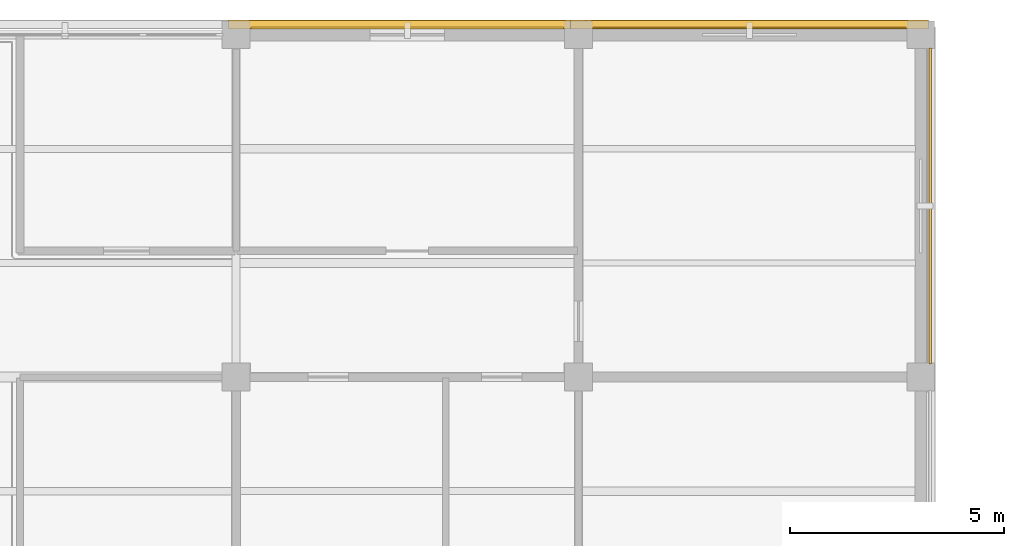
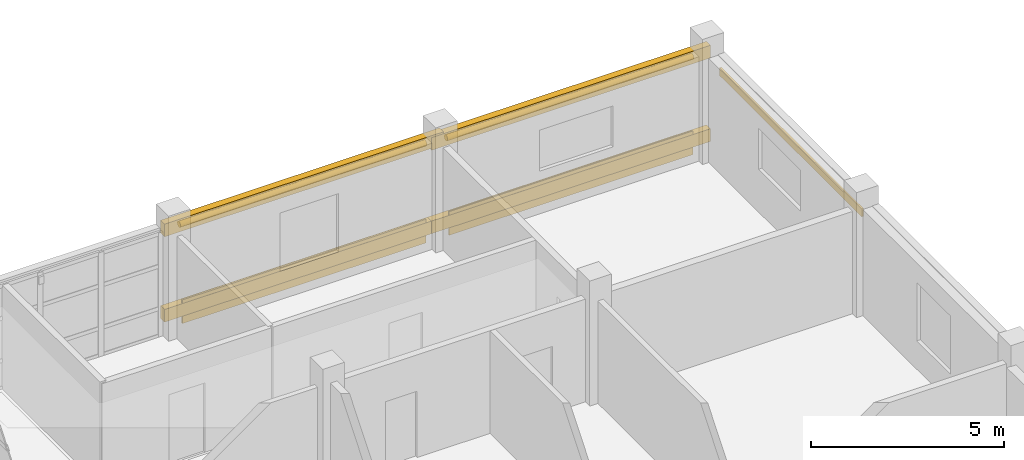
# One storey, part 106 of 107: 6 coverings, 3 shading devices.
"""IFC4 building model written with IfcOpenShell, lengths in metres."""

import ifcopenshell
import ifcopenshell.guid

model = None  # the IFC model being written
_history = None  # IfcOwnerHistory: only IFC2X3 demands one
_inside = {}  # id of a spatial element -> (the spatial element, [elements in it])
_under = {}  # id of a project, library or spatial element -> (it, [spatial elements below it])
_declared = {}  # id of a project -> (the project, [libraries it declares])
_typed = {}  # id of a type object -> (the type object, [elements of that type])
_made_of = {}  # id of a material, layer set ... -> (it, [elements and type objects made of it])


def new_model(schema):
    """Start an empty IFC model of exactly this schema.

    Asked for "IFC4X3", IfcOpenShell would pick the latest addendum, in which some entities
    have other attributes; the version numbers below select the first issue.
    IFC2X3 requires an IfcOwnerHistory on every rooted entity: one is made here for all.
    """
    global model, _history
    if schema == "IFC4X3":
        model = ifcopenshell.file(schema_version=(4, 3, 0, 0))
    else:
        model = ifcopenshell.file(schema=schema)
    _inside.clear()
    _under.clear()
    _declared.clear()
    _typed.clear()
    _made_of.clear()
    _history = None
    if model.schema == "IFC2X3":
        org = make("IfcOrganization", Name="unknown")
        user = make(
            "IfcPersonAndOrganization",
            ThePerson=make("IfcPerson", FamilyName="unknown"),
            TheOrganization=org,
        )
        app = make(
            "IfcApplication",
            ApplicationDeveloper=org,
            Version="unknown",
            ApplicationFullName="unknown",
            ApplicationIdentifier="unknown",
        )
        _history = make(
            "IfcOwnerHistory",
            OwningUser=user,
            OwningApplication=app,
            ChangeAction="ADDED",
            CreationDate=0,
        )
    return model


def make(cls, **values):
    """One entity of the class cls with the attributes given. An attribute that is None is left unset."""
    return model.create_entity(
        cls, **{name: value for name, value in values.items() if value is not None}
    )


def rooted(cls, **values):
    """An entity with a GlobalId (a new one), such as an element, a storey or a relation."""
    return make(cls, GlobalId=ifcopenshell.guid.new(), OwnerHistory=_history, **values)


def si_unit(unit_type, name, prefix=None):
    """IfcSIUnit, for example si_unit("LENGTHUNIT", "METRE", prefix="MILLI")."""
    return make("IfcSIUnit", UnitType=unit_type, Prefix=prefix, Name=name)


def derived_unit(unit_type, elements):
    """IfcDerivedUnit: a product of units, each with its exponent."""
    return make(
        "IfcDerivedUnit",
        Elements=[
            make("IfcDerivedUnitElement", Unit=unit, Exponent=power)
            for unit, power in elements
        ],
        UnitType=unit_type,
    )


def assignment(units):
    """IfcUnitAssignment: the units of a project."""
    return None if units is None else make("IfcUnitAssignment", Units=units)


def point(xyz):
    """IfcCartesianPoint."""
    return None if xyz is None else make("IfcCartesianPoint", Coordinates=xyz)


def direction(xyz):
    """IfcDirection."""
    return None if xyz is None else make("IfcDirection", DirectionRatios=xyz)


def frame(location, z_axis=None, x_axis=None):
    """IfcAxis2Placement3D, a coordinate frame: its origin and axes. An axis left out is left unset."""
    return make(
        "IfcAxis2Placement3D",
        Location=point(location),
        Axis=direction(z_axis),
        RefDirection=direction(x_axis),
    )


def frame_2d(location, x_axis=None):
    """IfcAxis2Placement2D, a coordinate frame in the plane: its origin and x axis."""
    return make(
        "IfcAxis2Placement2D", Location=point(location), RefDirection=direction(x_axis)
    )


def origin():
    """The frame at (0, 0, 0) with its axes left unset."""
    return frame((0.0, 0.0, 0.0))


def origin_2d():
    """The frame at (0, 0) in the plane with its x axis left unset."""
    return frame_2d((0.0, 0.0))


def place(relative_to, where):
    """IfcLocalPlacement: puts the frame where relative to a parent placement (None: the world)."""
    return make(
        "IfcLocalPlacement", PlacementRelTo=relative_to, RelativePlacement=where
    )


def context(
    kind, dimensions, precision=None, world=None, true_north=None, identifier=None
):
    """IfcGeometricRepresentationContext, for example the 3D "Model" context."""
    return make(
        "IfcGeometricRepresentationContext",
        ContextIdentifier=identifier,
        ContextType=kind,
        CoordinateSpaceDimension=dimensions,
        Precision=precision,
        WorldCoordinateSystem=world,
        TrueNorth=true_north,
    )


def subcontext(parent, identifier, kind, view, scale=None):
    """IfcGeometricRepresentationSubContext, for example "Body" below "Model"."""
    return make(
        "IfcGeometricRepresentationSubContext",
        ContextIdentifier=identifier,
        ContextType=kind,
        ParentContext=parent,
        TargetScale=scale,
        TargetView=view,
    )


def project(units=None, contexts=None):
    """IfcProject with its units and contexts."""
    return rooted(
        "IfcProject",
        Name="project",
        RepresentationContexts=contexts,
        UnitsInContext=assignment(units),
    )


def spatial(cls, under=None, at=None, **own):
    """A site, building, storey or space (cls), placed at a placement, below another one or the project."""
    s = rooted(cls, ObjectPlacement=at, **own)
    if under is not None:
        _under.setdefault(under.id(), (under, []))[1].append(s)
    return s


def profile(cls, at=None, kind="AREA", **sizes):
    """A parametric profile (cls). Its sizes go by their IFC names, for example OverallWidth=200.0."""
    return make(cls, ProfileType=kind, Position=at, **sizes)


def rectangle(**sizes):
    """IfcRectangleProfileDef."""
    return profile("IfcRectangleProfileDef", **sizes)


def circle(**sizes):
    """IfcCircleProfileDef."""
    return profile("IfcCircleProfileDef", **sizes)


def extrude(swept, where, along, depth):
    """IfcExtrudedAreaSolid: the profile swept, set in the frame where, extruded along a direction by depth."""
    return make(
        "IfcExtrudedAreaSolid",
        SweptArea=swept,
        Position=where,
        ExtrudedDirection=direction(along),
        Depth=depth,
    )


def shape(context_of_items, identifier, shape_type, items):
    """IfcShapeRepresentation: the items that make up one representation, for example the "Body"."""
    return make(
        "IfcShapeRepresentation",
        ContextOfItems=context_of_items,
        RepresentationIdentifier=identifier,
        RepresentationType=shape_type,
        Items=items,
    )


def material(Name=None, Category=None):
    """IfcMaterial."""
    return make("IfcMaterial", Name=Name, Category=Category)


def layer(
    of_material, thickness, ventilated=None, Name=None, Category=None, Priority=None
):
    """IfcMaterialLayer: one layer of a wall or slab, of a material (None: an air gap)."""
    return make(
        "IfcMaterialLayer",
        Material=of_material,
        LayerThickness=thickness,
        IsVentilated=ventilated,
        Name=Name,
        Category=Category,
        Priority=Priority,
    )


def layer_set(layers, Name=None):
    """IfcMaterialLayerSet."""
    return make("IfcMaterialLayerSet", MaterialLayers=layers, LayerSetName=Name)


def material_profile(
    of_material, cross_section, Name=None, Category=None, Priority=None
):
    """IfcMaterialProfile: a cross section and its material."""
    return make(
        "IfcMaterialProfile",
        Name=Name,
        Material=of_material,
        Profile=cross_section,
        Priority=Priority,
        Category=Category,
    )


def profile_set(profiles, Name=None, composite=None):
    """IfcMaterialProfileSet."""
    return make(
        "IfcMaterialProfileSet",
        Name=Name,
        MaterialProfiles=profiles,
        CompositeProfile=composite,
    )


def made_of(thing, what):
    """Note that an element or type object is made of a material, layer set ...; save() writes the relation."""
    if what is not None:
        _made_of.setdefault(what.id(), (what, []))[1].append(thing)
    return thing


def type_object(cls, material=None, **own):
    """A type object (cls), such as IfcWallType, which elements share."""
    return made_of(rooted(cls, **own), material)


def element(
    cls,
    number,
    at=None,
    inside=None,
    cuts=None,
    type_object=None,
    material=None,
    context=None,
    identifier="Body",
    shape_type=None,
    held_by="IfcProductDefinitionShape",
    body=None,
    shapes=None,
    **own,
):
    """One element of the class cls, such as IfcWall. Its Tag is "e" and its number.

    at: its placement. inside: the storey or other place that contains it. cuts: it is an
    opening in that element (IfcRelVoidsElement). A single representation is given by context,
    identifier, shape_type and body (its items); several are given by shapes. held_by: the class
    of the entity that holds the representations. save() writes the other relations.
    """
    e = rooted(cls, Tag="e%d" % number, ObjectPlacement=at, **own)
    if body is not None:
        shapes = [shape(context, identifier, shape_type, body)]
    if shapes is not None:
        e.Representation = make(held_by, Representations=shapes)
    if inside is not None:
        _inside.setdefault(inside.id(), (inside, []))[1].append(e)
    if cuts is not None:
        rooted(
            "IfcRelVoidsElement", RelatingBuildingElement=cuts, RelatedOpeningElement=e
        )
    if type_object is not None:
        _typed.setdefault(type_object.id(), (type_object, []))[1].append(e)
    return made_of(e, material)


def aggregate(whole, parts):
    """IfcRelAggregates: a whole, such as a stair, and the parts it consists of."""
    return rooted("IfcRelAggregates", RelatingObject=whole, RelatedObjects=parts)


def save(model, path):
    """Write the relations noted so far, then the file.

    IfcRelAggregates (storeys below a building ...), IfcRelContainedInSpatialStructure (elements
    in a storey), IfcRelDefinesByType, IfcRelAssociatesMaterial and IfcRelDeclares: one each for
    every whole, place, type object, material and project.
    """
    for whole, parts in _under.values():
        aggregate(whole, parts)
    for where, things in _inside.values():
        rooted(
            "IfcRelContainedInSpatialStructure",
            RelatedElements=things,
            RelatingStructure=where,
        )
    for kind, things in _typed.values():
        rooted("IfcRelDefinesByType", RelatedObjects=things, RelatingType=kind)
    for what, things in _made_of.values():
        rooted("IfcRelAssociatesMaterial", RelatedObjects=things, RelatingMaterial=what)
    for by, libraries in _declared.values():
        rooted("IfcRelDeclares", RelatingContext=by, RelatedDefinitions=libraries)
    model.write(path)


model = new_model("IFC4")

# Units and contexts
model_context = context("Model", 3, precision=1e-05, world=origin(), true_north=direction((0.0, 1.0)))
body_context = subcontext(model_context, "Body", "Model", "MODEL_VIEW")
ifc_project = project(units=[si_unit("LENGTHUNIT", "METRE"), si_unit("AREAUNIT", "SQUARE_METRE"), si_unit("VOLUMEUNIT", "CUBIC_METRE"), si_unit("PLANEANGLEUNIT", "RADIAN"), si_unit("MASSUNIT", "GRAM", prefix="KILO"), derived_unit("THERMALTRANSMITTANCEUNIT", [(si_unit("MASSUNIT", "GRAM", prefix="KILO"), 1), (si_unit("TIMEUNIT", "SECOND"), -3), (si_unit("THERMODYNAMICTEMPERATUREUNIT", "KELVIN"), -1)])], contexts=[model_context])

# Site, building, storey
site_placement = place(None, origin())
site = spatial("IfcSite", under=ifc_project, at=site_placement, CompositionType="ELEMENT")
building_placement = place(site_placement, origin())
building = spatial("IfcBuilding", under=site, at=building_placement, Name="Veyamyaing Civic Hall", CompositionType="ELEMENT")
storey_placement = place(building_placement, frame((0.0, 0.0, 13.860107421875)))
storey = spatial("IfcBuildingStorey", under=building, at=storey_placement, Name="L03", CompositionType="ELEMENT", Elevation=13.860107421875)

# Coverings
ifc_material_1 = material(Name="Buff sandstone ashlar cladding", Category="masonry")
ifc_layer_1 = layer(ifc_material_1, 0.050048828125, Name="Buff sandstone ashlar cladding")
ifc_layer_set_1 = layer_set([ifc_layer_1], Name="Buff sandstone ashlar cladding")
covering_type_1 = type_object("IfcCoveringType", Name="CL-01", PredefinedType="CLADDING", material=ifc_layer_set_1)
covering_1_placement = place(storey_placement, frame((164.0, 112.160888671875, 0.044921875), z_axis=(0.0, 0.0, 1.0), x_axis=(1.0, 0.0, 0.0)))
element("IfcCovering", 1, at=covering_1_placement, inside=storey, type_object=covering_type_1, Name="Facade spandrel cladding CL-01 L03 N 21.14", PredefinedType="CLADDING", context=body_context, shape_type="SweptSolid", body=[
    extrude(rectangle(XDim=7.300048828125, YDim=0.050048828125, at=origin_2d()), origin(), (0.0, 0.0, 1.0), 0.75),
])
ifc_material_2 = material(Name="Turquoise glazed ceramic tile cladding", Category="masonry")
ifc_layer_2 = layer(ifc_material_2, 0.034912109375, Name="Turquoise glazed ceramic tile cladding")
ifc_layer_set_2 = layer_set([ifc_layer_2], Name="Turquoise glazed ceramic tile cladding")
covering_type_2 = type_object("IfcCoveringType", Name="CL-02", PredefinedType="CLADDING", material=ifc_layer_set_2)
covering_2_placement = place(storey_placement, frame((172.0, 112.153564453125, 0.044921875), z_axis=(0.0, 0.0, 1.0), x_axis=(1.0, 0.0, 0.0)))
element("IfcCovering", 2, at=covering_2_placement, inside=storey, type_object=covering_type_2, Name="Facade spandrel cladding CL-02 L03 N 22.14", PredefinedType="CLADDING", context=body_context, shape_type="SweptSolid", body=[
    extrude(rectangle(XDim=7.300048828125, YDim=0.034912109375, at=origin_2d()), origin(), (0.0, 0.0, 1.0), 0.75),
])
ifc_material_3 = material(Name="White powder-coated aluminium 6063-T6", Category="aluminium")
ifc_layer_3 = layer(ifc_material_3, 0.2099609375, Name="White powder-coated aluminium 6063-T6")
ifc_layer_set_3 = layer_set([ifc_layer_3], Name="White powder-coated aluminium 6063-T6")
covering_type_3 = type_object("IfcCoveringType", Name="CL-03", PredefinedType="CLADDING", material=ifc_layer_set_3)
for number, where, z_axis, x_axis, name in (
    (3, (164.0, 112.239990234375, 2.98388671875), (0.0, 0.0, 1.0), (1.0, 0.0, 0.0), "Continuous white head fascia ribbon CL-03 L03 N 21.14"),
    (4, (164.0, 112.239990234375, 0.280029296875), (0.0, 0.0, 1.0), (1.0, 0.0, 0.0), "Continuous white sill fascia ribbon CL-03 L03 N 21.14"),
    (5, (172.0, 112.239990234375, 2.923828125), (0.0, 0.0, 1.0), (1.0, 0.0, 0.0), "Continuous white head fascia ribbon CL-03 L03 N 22.14"),
    (6, (172.0, 112.239990234375, 0.280029296875), (0.0, 0.0, 1.0), (1.0, 0.0, 0.0), "Continuous white sill fascia ribbon CL-03 L03 N 22.14"),
):
    element("IfcCovering", number, at=place(storey_placement, frame(where, z_axis=z_axis, x_axis=x_axis)), inside=storey, type_object=covering_type_3, Name=name, PredefinedType="CLADDING", context=body_context, shape_type="SweptSolid", body=[
        extrude(rectangle(XDim=8.360107421875, YDim=0.2099609375, at=origin_2d()), origin(), (0.0, 0.0, 1.0), 0.39990234375),
    ])

# Shading devices
ifc_material_4 = material(Name="Anodised aluminium 6063-T6", Category="aluminium")
ifc_material_profile_1 = material_profile(ifc_material_4, rectangle(XDim=0.050048828125, YDim=0.25, at=origin_2d()), Name="LOUVRE-BLADE-50X250")
ifc_profile_set_1 = profile_set([ifc_material_profile_1], Name="Anodised aluminium 6063-T6")
shading_device_type_1 = type_object("IfcShadingDeviceType", Name="LV-01", PredefinedType="JALOUSIE", material=ifc_profile_set_1)
shading_device_placement = place(storey_placement, frame((176.219970703125, 104.31005859375, 2.75390625), z_axis=(0.0, 1.0, 0.0), x_axis=(-1.0, 0.0, 0.0)))
element("IfcShadingDevice", 7, at=shading_device_placement, inside=storey, type_object=shading_device_type_1, Name="Monsoon solar louvre LV-01 L03 E 22.14", PredefinedType="JALOUSIE", context=body_context, shape_type="SweptSolid", body=[
    extrude(rectangle(XDim=0.050048828125, YDim=0.25, at=origin_2d()), origin(), (0.0, 0.0, 1.0), 7.3798828125),
])
ifc_material_profile_2 = material_profile(ifc_material_3, circle(Radius=0.090087890625, at=origin_2d()), Name="SHADE-TUBE-180")
ifc_profile_set_2 = profile_set([ifc_material_profile_2], Name="White powder-coated aluminium 6063-T6")
shading_device_type_2 = type_object("IfcShadingDeviceType", Name="SH-02", PredefinedType="USERDEFINED", material=ifc_profile_set_2)
for number, where, z_axis, x_axis, name in (
    (8, (160.31005859375, 112.239990234375, 3.143798828125), (1.0, 0.0, 0.0), (0.0, 1.0, 0.0), "Horizontal white sunshade ribbon SH-02 L03 N 21.14"),
    (9, (168.31005859375, 112.239990234375, 3.083984375), (1.0, 0.0, 0.0), (0.0, 1.0, 0.0), "Horizontal white sunshade ribbon SH-02 L03 N 22.14"),
):
    element("IfcShadingDevice", number, at=place(storey_placement, frame(where, z_axis=z_axis, x_axis=x_axis)), inside=storey, type_object=shading_device_type_2, Name=name, ObjectType="SUNSHADE", PredefinedType="USERDEFINED", context=body_context, shape_type="SweptSolid", body=[
        extrude(circle(Radius=0.090087890625, at=origin_2d()), origin(), (0.0, 0.0, 1.0), 7.3798828125),
    ])

save(model, "model.ifc")
